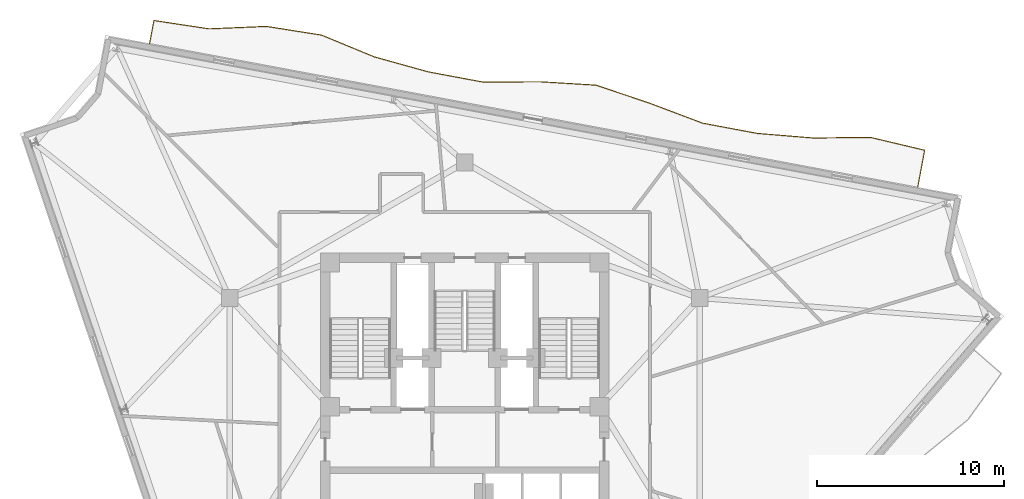
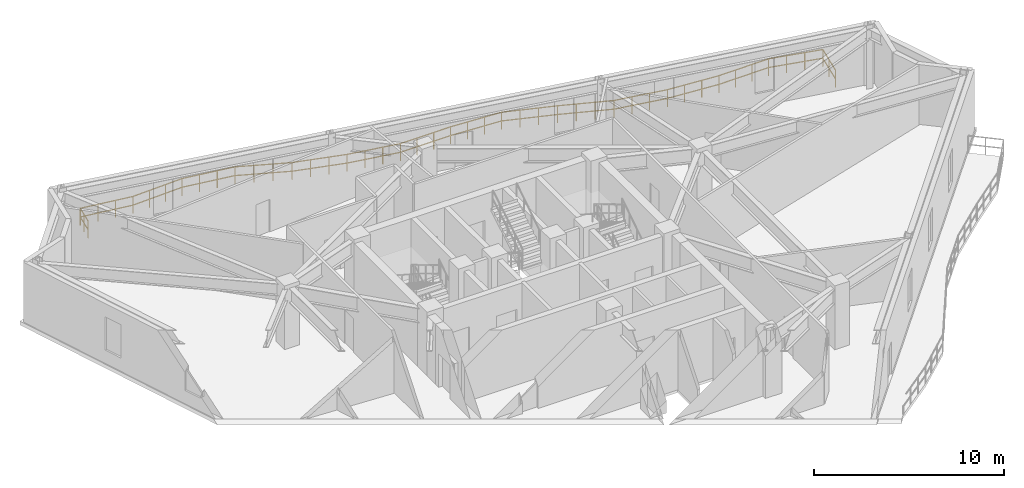
# One storey, part 10 of 10: 1 railing.
"""IFC4 building model written with IfcOpenShell, lengths in metres."""

import ifcopenshell
import ifcopenshell.guid

model = None  # the IFC model being written
_history = None  # IfcOwnerHistory: only IFC2X3 demands one
_inside = {}  # id of a spatial element -> (the spatial element, [elements in it])
_under = {}  # id of a project, library or spatial element -> (it, [spatial elements below it])
_declared = {}  # id of a project -> (the project, [libraries it declares])
_typed = {}  # id of a type object -> (the type object, [elements of that type])
_made_of = {}  # id of a material, layer set ... -> (it, [elements and type objects made of it])


def new_model(schema):
    """Start an empty IFC model of exactly this schema.

    Asked for "IFC4X3", IfcOpenShell would pick the latest addendum, in which some entities
    have other attributes; the version numbers below select the first issue.
    IFC2X3 requires an IfcOwnerHistory on every rooted entity: one is made here for all.
    """
    global model, _history
    if schema == "IFC4X3":
        model = ifcopenshell.file(schema_version=(4, 3, 0, 0))
    else:
        model = ifcopenshell.file(schema=schema)
    _inside.clear()
    _under.clear()
    _declared.clear()
    _typed.clear()
    _made_of.clear()
    _history = None
    if model.schema == "IFC2X3":
        org = make("IfcOrganization", Name="unknown")
        user = make(
            "IfcPersonAndOrganization",
            ThePerson=make("IfcPerson", FamilyName="unknown"),
            TheOrganization=org,
        )
        app = make(
            "IfcApplication",
            ApplicationDeveloper=org,
            Version="unknown",
            ApplicationFullName="unknown",
            ApplicationIdentifier="unknown",
        )
        _history = make(
            "IfcOwnerHistory",
            OwningUser=user,
            OwningApplication=app,
            ChangeAction="ADDED",
            CreationDate=0,
        )
    return model


def make(cls, **values):
    """One entity of the class cls with the attributes given. An attribute that is None is left unset."""
    return model.create_entity(
        cls, **{name: value for name, value in values.items() if value is not None}
    )


def rooted(cls, **values):
    """An entity with a GlobalId (a new one), such as an element, a storey or a relation."""
    return make(cls, GlobalId=ifcopenshell.guid.new(), OwnerHistory=_history, **values)


def si_unit(unit_type, name, prefix=None):
    """IfcSIUnit, for example si_unit("LENGTHUNIT", "METRE", prefix="MILLI")."""
    return make("IfcSIUnit", UnitType=unit_type, Prefix=prefix, Name=name)


def assignment(units):
    """IfcUnitAssignment: the units of a project."""
    return None if units is None else make("IfcUnitAssignment", Units=units)


def point(xyz):
    """IfcCartesianPoint."""
    return None if xyz is None else make("IfcCartesianPoint", Coordinates=xyz)


def direction(xyz):
    """IfcDirection."""
    return None if xyz is None else make("IfcDirection", DirectionRatios=xyz)


def frame(location, z_axis=None, x_axis=None):
    """IfcAxis2Placement3D, a coordinate frame: its origin and axes. An axis left out is left unset."""
    return make(
        "IfcAxis2Placement3D",
        Location=point(location),
        Axis=direction(z_axis),
        RefDirection=direction(x_axis),
    )


def frame_2d(location, x_axis=None):
    """IfcAxis2Placement2D, a coordinate frame in the plane: its origin and x axis."""
    return make(
        "IfcAxis2Placement2D", Location=point(location), RefDirection=direction(x_axis)
    )


def origin():
    """The frame at (0, 0, 0) with its axes left unset."""
    return frame((0.0, 0.0, 0.0))


def origin_2d():
    """The frame at (0, 0) in the plane with its x axis left unset."""
    return frame_2d((0.0, 0.0))


def place(relative_to, where):
    """IfcLocalPlacement: puts the frame where relative to a parent placement (None: the world)."""
    return make(
        "IfcLocalPlacement", PlacementRelTo=relative_to, RelativePlacement=where
    )


def context(
    kind, dimensions, precision=None, world=None, true_north=None, identifier=None
):
    """IfcGeometricRepresentationContext, for example the 3D "Model" context."""
    return make(
        "IfcGeometricRepresentationContext",
        ContextIdentifier=identifier,
        ContextType=kind,
        CoordinateSpaceDimension=dimensions,
        Precision=precision,
        WorldCoordinateSystem=world,
        TrueNorth=true_north,
    )


def subcontext(parent, identifier, kind, view, scale=None):
    """IfcGeometricRepresentationSubContext, for example "Body" below "Model"."""
    return make(
        "IfcGeometricRepresentationSubContext",
        ContextIdentifier=identifier,
        ContextType=kind,
        ParentContext=parent,
        TargetScale=scale,
        TargetView=view,
    )


def project(units=None, contexts=None):
    """IfcProject with its units and contexts."""
    return rooted(
        "IfcProject",
        Name="project",
        RepresentationContexts=contexts,
        UnitsInContext=assignment(units),
    )


def spatial(cls, under=None, at=None, **own):
    """A site, building, storey or space (cls), placed at a placement, below another one or the project."""
    s = rooted(cls, ObjectPlacement=at, **own)
    if under is not None:
        _under.setdefault(under.id(), (under, []))[1].append(s)
    return s


def profile(cls, at=None, kind="AREA", **sizes):
    """A parametric profile (cls). Its sizes go by their IFC names, for example OverallWidth=200.0."""
    return make(cls, ProfileType=kind, Position=at, **sizes)


def rectangle(**sizes):
    """IfcRectangleProfileDef."""
    return profile("IfcRectangleProfileDef", **sizes)


def extrude(swept, where, along, depth):
    """IfcExtrudedAreaSolid: the profile swept, set in the frame where, extruded along a direction by depth."""
    return make(
        "IfcExtrudedAreaSolid",
        SweptArea=swept,
        Position=where,
        ExtrudedDirection=direction(along),
        Depth=depth,
    )


def shape(context_of_items, identifier, shape_type, items):
    """IfcShapeRepresentation: the items that make up one representation, for example the "Body"."""
    return make(
        "IfcShapeRepresentation",
        ContextOfItems=context_of_items,
        RepresentationIdentifier=identifier,
        RepresentationType=shape_type,
        Items=items,
    )


def material(Name=None, Category=None):
    """IfcMaterial."""
    return make("IfcMaterial", Name=Name, Category=Category)


def made_of(thing, what):
    """Note that an element or type object is made of a material, layer set ...; save() writes the relation."""
    if what is not None:
        _made_of.setdefault(what.id(), (what, []))[1].append(thing)
    return thing


def type_object(cls, material=None, **own):
    """A type object (cls), such as IfcWallType, which elements share."""
    return made_of(rooted(cls, **own), material)


def element(
    cls,
    number,
    at=None,
    inside=None,
    cuts=None,
    type_object=None,
    material=None,
    context=None,
    identifier="Body",
    shape_type=None,
    held_by="IfcProductDefinitionShape",
    body=None,
    shapes=None,
    **own,
):
    """One element of the class cls, such as IfcWall. Its Tag is "e" and its number.

    at: its placement. inside: the storey or other place that contains it. cuts: it is an
    opening in that element (IfcRelVoidsElement). A single representation is given by context,
    identifier, shape_type and body (its items); several are given by shapes. held_by: the class
    of the entity that holds the representations. save() writes the other relations.
    """
    e = rooted(cls, Tag="e%d" % number, ObjectPlacement=at, **own)
    if body is not None:
        shapes = [shape(context, identifier, shape_type, body)]
    if shapes is not None:
        e.Representation = make(held_by, Representations=shapes)
    if inside is not None:
        _inside.setdefault(inside.id(), (inside, []))[1].append(e)
    if cuts is not None:
        rooted(
            "IfcRelVoidsElement", RelatingBuildingElement=cuts, RelatedOpeningElement=e
        )
    if type_object is not None:
        _typed.setdefault(type_object.id(), (type_object, []))[1].append(e)
    return made_of(e, material)


def aggregate(whole, parts):
    """IfcRelAggregates: a whole, such as a stair, and the parts it consists of."""
    return rooted("IfcRelAggregates", RelatingObject=whole, RelatedObjects=parts)


def save(model, path):
    """Write the relations noted so far, then the file.

    IfcRelAggregates (storeys below a building ...), IfcRelContainedInSpatialStructure (elements
    in a storey), IfcRelDefinesByType, IfcRelAssociatesMaterial and IfcRelDeclares: one each for
    every whole, place, type object, material and project.
    """
    for whole, parts in _under.values():
        aggregate(whole, parts)
    for where, things in _inside.values():
        rooted(
            "IfcRelContainedInSpatialStructure",
            RelatedElements=things,
            RelatingStructure=where,
        )
    for kind, things in _typed.values():
        rooted("IfcRelDefinesByType", RelatedObjects=things, RelatingType=kind)
    for what, things in _made_of.values():
        rooted("IfcRelAssociatesMaterial", RelatedObjects=things, RelatingMaterial=what)
    for by, libraries in _declared.values():
        rooted("IfcRelDeclares", RelatingContext=by, RelatedDefinitions=libraries)
    model.write(path)


model = new_model("IFC4")

# Units and contexts
model_context = context("Model", 3, precision=1e-05, world=origin(), true_north=direction((0.0, 1.0)))
body_context = subcontext(model_context, "Body", "Model", "MODEL_VIEW")
ifc_project = project(units=[si_unit("LENGTHUNIT", "METRE"), si_unit("AREAUNIT", "SQUARE_METRE"), si_unit("VOLUMEUNIT", "CUBIC_METRE"), si_unit("PLANEANGLEUNIT", "RADIAN"), si_unit("MASSUNIT", "GRAM", prefix="KILO")], contexts=[model_context])

# Site, building, storey
site_placement = place(None, origin())
site = spatial("IfcSite", under=ifc_project, at=site_placement, CompositionType="ELEMENT")
building_placement = place(site_placement, origin())
building = spatial("IfcBuilding", under=site, at=building_placement, Name="Apsidion Concourse Tower", CompositionType="ELEMENT")
storey_placement = place(building_placement, frame((0.0, 0.0, 286.0)))
storey = spatial("IfcBuildingStorey", under=building, at=storey_placement, Name="L67", CompositionType="ELEMENT", Elevation=286.0)

# Railing
ifc_material = material(Name="Brushed stainless steel 316", Category="steel")
railing_type = type_object("IfcRailingType", Name="RL-BAL-1120", PredefinedType="BALUSTRADE", material=ifc_material)
railing_placement = place(storey_placement, frame((-16.84228515625, 20.8583984375, 0.0)))
element("IfcRailing", 1, at=railing_placement, inside=storey, type_object=railing_type, Name="L67 Face 3 Rippling Balcony Balustrade", PredefinedType="BALUSTRADE", context=body_context, shape_type="SweptSolid", body=[
    extrude(rectangle(XDim=0.048095703125, YDim=0.048095703125, at=origin_2d()), frame((0.0, 0.0, 1.09619140625), z_axis=(0.183970153766, 0.982931830049, 0.0), x_axis=(-0.982931830049, 0.183970153766, 0.0)), (0.0, 0.0, 1.0), 1.25),
    extrude(rectangle(XDim=0.048095703125, YDim=0.048095703125, at=origin_2d()), frame((0.0, 0.0, 0.5361328125), z_axis=(0.183970153766, 0.982931830049, 0.0), x_axis=(-0.982931830049, 0.183970153766, 0.0)), (0.0, 0.0, 1.0), 1.25),
    extrude(rectangle(XDim=0.048095703125, YDim=0.048095703125, at=origin_2d()), frame((0.22998046875, 1.228759765625, 1.09619140625), z_axis=(0.988771968026, -0.149432242996, 0.0), x_axis=(0.149432242996, 0.988771968026, 0.0)), (0.0, 0.0, 1.0), 2.98486328125),
    extrude(rectangle(XDim=0.048095703125, YDim=0.048095703125, at=origin_2d()), frame((0.22998046875, 1.228759765625, 0.5361328125), z_axis=(0.988771968026, -0.149432242996, 0.0), x_axis=(0.149432242996, 0.988771968026, 0.0)), (0.0, 0.0, 1.0), 2.98486328125),
    extrude(rectangle(XDim=0.048095703125, YDim=0.048095703125, at=origin_2d()), frame((3.181396484375, 0.78271484375, 1.09619140625), z_axis=(0.999093100273, 0.042579067482, 0.0), x_axis=(-0.042579067482, 0.999093100273, 0.0)), (0.0, 0.0, 1.0), 3.061767578125),
    extrude(rectangle(XDim=0.048095703125, YDim=0.048095703125, at=origin_2d()), frame((3.181396484375, 0.78271484375, 0.5361328125), z_axis=(0.999093100273, 0.042579067482, 0.0), x_axis=(-0.042579067482, 0.999093100273, 0.0)), (0.0, 0.0, 1.0), 3.061767578125),
    extrude(rectangle(XDim=0.048095703125, YDim=0.048095703125, at=origin_2d()), frame((6.240478515625, 0.9130859375, 1.09619140625), z_axis=(0.987820604877, -0.155597084097, 0.0), x_axis=(0.155597084097, 0.987820604877, 0.0)), (0.0, 0.0, 1.0), 2.984375),
    extrude(rectangle(XDim=0.048095703125, YDim=0.048095703125, at=origin_2d()), frame((6.240478515625, 0.9130859375, 0.5361328125), z_axis=(0.987820604877, -0.155597084097, 0.0), x_axis=(0.155597084097, 0.987820604877, 0.0)), (0.0, 0.0, 1.0), 2.984375),
    extrude(rectangle(XDim=0.048095703125, YDim=0.048095703125, at=origin_2d()), frame((9.1884765625, 0.44873046875, 1.09619140625), z_axis=(0.924502130826, -0.381176875084, 0.0), x_axis=(0.381176875084, 0.924502130826, 0.0)), (0.0, 0.0, 1.0), 3.04736328125),
    extrude(rectangle(XDim=0.048095703125, YDim=0.048095703125, at=origin_2d()), frame((9.1884765625, 0.44873046875, 0.5361328125), z_axis=(0.924502130826, -0.381176875084, 0.0), x_axis=(0.381176875084, 0.924502130826, 0.0)), (0.0, 0.0, 1.0), 3.04736328125),
    extrude(rectangle(XDim=0.048095703125, YDim=0.048095703125, at=origin_2d()), frame((12.005859375, -0.712890625, 1.09619140625), z_axis=(0.963549443914, -0.267530314418, 0.0), x_axis=(0.267530314418, 0.963549443914, 0.0)), (0.0, 0.0, 1.0), 2.994140625),
    extrude(rectangle(XDim=0.048095703125, YDim=0.048095703125, at=origin_2d()), frame((12.005859375, -0.712890625, 0.5361328125), z_axis=(0.963549443914, -0.267530314418, 0.0), x_axis=(0.267530314418, 0.963549443914, 0.0)), (0.0, 0.0, 1.0), 2.994140625),
    extrude(rectangle(XDim=0.048095703125, YDim=0.048095703125, at=origin_2d()), frame((14.890869140625, -1.513916015625, 1.09619140625), z_axis=(0.982944381003, -0.183903082774, 0.0), x_axis=(0.183903082774, 0.982944381003, 0.0)), (0.0, 0.0, 1.0), 2.98291015625),
    extrude(rectangle(XDim=0.048095703125, YDim=0.048095703125, at=origin_2d()), frame((14.890869140625, -1.513916015625, 0.5361328125), z_axis=(0.982944381003, -0.183903082774, 0.0), x_axis=(0.183903082774, 0.982944381003, 0.0)), (0.0, 0.0, 1.0), 2.98291015625),
    extrude(rectangle(XDim=0.048095703125, YDim=0.048095703125, at=origin_2d()), frame((17.822998046875, -2.0625, 1.09619140625), z_axis=(0.9999823192, 0.00594653581, 0.0), x_axis=(-0.00594653581, 0.9999823192, 0.0)), (0.0, 0.0, 1.0), 3.0380859375),
    extrude(rectangle(XDim=0.048095703125, YDim=0.048095703125, at=origin_2d()), frame((17.822998046875, -2.0625, 0.5361328125), z_axis=(0.9999823192, 0.00594653581, 0.0), x_axis=(-0.00594653581, 0.9999823192, 0.0)), (0.0, 0.0, 1.0), 3.0380859375),
    extrude(rectangle(XDim=0.048095703125, YDim=0.048095703125, at=origin_2d()), frame((20.861083984375, -2.04443359375, 1.09619140625), z_axis=(0.998168050796, -0.060502416227, 0.0), x_axis=(0.060502416227, 0.998168050796, 0.0)), (0.0, 0.0, 1.0), 3.00634765625),
    extrude(rectangle(XDim=0.048095703125, YDim=0.048095703125, at=origin_2d()), frame((20.861083984375, -2.04443359375, 0.5361328125), z_axis=(0.998168050796, -0.060502416227, 0.0), x_axis=(0.060502416227, 0.998168050796, 0.0)), (0.0, 0.0, 1.0), 3.00634765625),
    extrude(rectangle(XDim=0.048095703125, YDim=0.048095703125, at=origin_2d()), frame((23.86181640625, -2.226318359375, 1.09619140625), z_axis=(0.94763275258, -0.319362123988, 0.0), x_axis=(0.319362123988, 0.94763275258, 0.0)), (0.0, 0.0, 1.0), 3.0126953125),
    extrude(rectangle(XDim=0.048095703125, YDim=0.048095703125, at=origin_2d()), frame((23.86181640625, -2.226318359375, 0.5361328125), z_axis=(0.94763275258, -0.319362123988, 0.0), x_axis=(0.319362123988, 0.94763275258, 0.0)), (0.0, 0.0, 1.0), 3.0126953125),
    extrude(rectangle(XDim=0.048095703125, YDim=0.048095703125, at=origin_2d()), frame((26.716796875, -3.1884765625, 1.09619140625), z_axis=(0.935784918017, -0.35257139307, 0.0), x_axis=(0.35257139307, 0.935784918017, 0.0)), (0.0, 0.0, 1.0), 3.029541015625),
    extrude(rectangle(XDim=0.048095703125, YDim=0.048095703125, at=origin_2d()), frame((26.716796875, -3.1884765625, 0.5361328125), z_axis=(0.935784918017, -0.35257139307, 0.0), x_axis=(0.35257139307, 0.935784918017, 0.0)), (0.0, 0.0, 1.0), 3.029541015625),
    extrude(rectangle(XDim=0.048095703125, YDim=0.048095703125, at=origin_2d()), frame((29.5517578125, -4.256591796875, 1.09619140625), z_axis=(0.982944381003, -0.183903082774, 0.0), x_axis=(0.183903082774, 0.982944381003, 0.0)), (0.0, 0.0, 1.0), 2.98291015625),
    extrude(rectangle(XDim=0.048095703125, YDim=0.048095703125, at=origin_2d()), frame((29.5517578125, -4.256591796875, 0.5361328125), z_axis=(0.982944381003, -0.183903082774, 0.0), x_axis=(0.183903082774, 0.982944381003, 0.0)), (0.0, 0.0, 1.0), 2.98291015625),
    extrude(rectangle(XDim=0.048095703125, YDim=0.048095703125, at=origin_2d()), frame((32.48388671875, -4.80517578125, 1.09619140625), z_axis=(0.996654369429, -0.081731682341, 0.0), x_axis=(0.081731682341, 0.996654369429, 0.0)), (0.0, 0.0, 1.0), 2.9990234375),
    extrude(rectangle(XDim=0.048095703125, YDim=0.048095703125, at=origin_2d()), frame((32.48388671875, -4.80517578125, 0.5361328125), z_axis=(0.996654369429, -0.081731682341, 0.0), x_axis=(0.081731682341, 0.996654369429, 0.0)), (0.0, 0.0, 1.0), 2.9990234375),
    extrude(rectangle(XDim=0.048095703125, YDim=0.048095703125, at=origin_2d()), frame((35.472900390625, -5.05029296875, 1.09619140625), z_axis=(0.999934117172, 0.011478733142, 0.0), x_axis=(-0.011478733142, 0.999934117172, 0.0)), (0.0, 0.0, 1.0), 3.04150390625),
    extrude(rectangle(XDim=0.048095703125, YDim=0.048095703125, at=origin_2d()), frame((35.472900390625, -5.05029296875, 0.5361328125), z_axis=(0.999934117172, 0.011478733142, 0.0), x_axis=(-0.011478733142, 0.999934117172, 0.0)), (0.0, 0.0, 1.0), 3.04150390625),
    extrude(rectangle(XDim=0.048095703125, YDim=0.048095703125, at=origin_2d()), frame((38.51416015625, -5.015380859375, 1.09619140625), z_axis=(0.973046023005, -0.230611008225, 0.0), x_axis=(0.230611008225, 0.973046023005, 0.0)), (0.0, 0.0, 1.0), 2.986572265625),
    extrude(rectangle(XDim=0.048095703125, YDim=0.048095703125, at=origin_2d()), frame((38.51416015625, -5.015380859375, 0.5361328125), z_axis=(0.973046023005, -0.230611008225, 0.0), x_axis=(0.230611008225, 0.973046023005, 0.0)), (0.0, 0.0, 1.0), 2.986572265625),
    extrude(rectangle(XDim=0.048095703125, YDim=0.048095703125, at=origin_2d()), frame((41.420166015625, -5.7041015625, 1.09619140625), z_axis=(-0.183929108902, -0.982939511312, 0.0), x_axis=(0.982939511312, -0.183929108902, 0.0)), (0.0, 0.0, 1.0), 2.009521484375),
    extrude(rectangle(XDim=0.048095703125, YDim=0.048095703125, at=origin_2d()), frame((41.420166015625, -5.7041015625, 0.5361328125), z_axis=(-0.183929108902, -0.982939511312, 0.0), x_axis=(0.982939511312, -0.183929108902, 0.0)), (0.0, 0.0, 1.0), 2.009521484375),
    extrude(rectangle(XDim=0.0419921875, YDim=0.0419921875, at=origin_2d()), origin(), (0.0, 0.0, 1.0), 1.072021484375),
    extrude(rectangle(XDim=0.0419921875, YDim=0.0419921875, at=origin_2d()), frame((0.114990234375, 0.6142578125, 0.0)), (0.0, 0.0, 1.0), 1.072021484375),
    extrude(rectangle(XDim=0.0419921875, YDim=0.0419921875, at=origin_2d()), frame((0.22998046875, 1.228759765625, 0.0)), (0.0, 0.0, 1.0), 1.072021484375),
    extrude(rectangle(XDim=0.0419921875, YDim=0.0419921875, at=origin_2d()), frame((1.2138671875, 1.080078125, 0.0)), (0.0, 0.0, 1.0), 1.072021484375),
    extrude(rectangle(XDim=0.0419921875, YDim=0.0419921875, at=origin_2d()), frame((2.197509765625, 0.931396484375, 0.0)), (0.0, 0.0, 1.0), 1.072021484375),
    extrude(rectangle(XDim=0.0419921875, YDim=0.0419921875, at=origin_2d()), frame((3.181396484375, 0.78271484375, 0.0)), (0.0, 0.0, 1.0), 1.072021484375),
    extrude(rectangle(XDim=0.0419921875, YDim=0.0419921875, at=origin_2d()), frame((4.201171875, 0.826171875, 0.0)), (0.0, 0.0, 1.0), 1.072021484375),
    extrude(rectangle(XDim=0.0419921875, YDim=0.0419921875, at=origin_2d()), frame((5.220703125, 0.86962890625, 0.0)), (0.0, 0.0, 1.0), 1.072021484375),
    extrude(rectangle(XDim=0.0419921875, YDim=0.0419921875, at=origin_2d()), frame((6.240478515625, 0.9130859375, 0.0)), (0.0, 0.0, 1.0), 1.072021484375),
    extrude(rectangle(XDim=0.0419921875, YDim=0.0419921875, at=origin_2d()), frame((7.22314453125, 0.75830078125, 0.0)), (0.0, 0.0, 1.0), 1.072021484375),
    extrude(rectangle(XDim=0.0419921875, YDim=0.0419921875, at=origin_2d()), frame((8.205810546875, 0.603515625, 0.0)), (0.0, 0.0, 1.0), 1.072021484375),
    extrude(rectangle(XDim=0.0419921875, YDim=0.0419921875, at=origin_2d()), frame((9.1884765625, 0.44873046875, 0.0)), (0.0, 0.0, 1.0), 1.072021484375),
    extrude(rectangle(XDim=0.0419921875, YDim=0.0419921875, at=origin_2d()), frame((10.127685546875, 0.0615234375, 0.0)), (0.0, 0.0, 1.0), 1.072021484375),
    extrude(rectangle(XDim=0.0419921875, YDim=0.0419921875, at=origin_2d()), frame((11.066650390625, -0.32568359375, 0.0)), (0.0, 0.0, 1.0), 1.072021484375),
    extrude(rectangle(XDim=0.0419921875, YDim=0.0419921875, at=origin_2d()), frame((12.005859375, -0.712890625, 0.0)), (0.0, 0.0, 1.0), 1.072021484375),
    extrude(rectangle(XDim=0.0419921875, YDim=0.0419921875, at=origin_2d()), frame((12.967529296875, -0.97998046875, 0.0)), (0.0, 0.0, 1.0), 1.072021484375),
    extrude(rectangle(XDim=0.0419921875, YDim=0.0419921875, at=origin_2d()), frame((13.92919921875, -1.246826171875, 0.0)), (0.0, 0.0, 1.0), 1.072021484375),
    extrude(rectangle(XDim=0.0419921875, YDim=0.0419921875, at=origin_2d()), frame((14.890869140625, -1.513916015625, 0.0)), (0.0, 0.0, 1.0), 1.072021484375),
    extrude(rectangle(XDim=0.0419921875, YDim=0.0419921875, at=origin_2d()), frame((15.8681640625, -1.69677734375, 0.0)), (0.0, 0.0, 1.0), 1.072021484375),
    extrude(rectangle(XDim=0.0419921875, YDim=0.0419921875, at=origin_2d()), frame((16.845703125, -1.879638671875, 0.0)), (0.0, 0.0, 1.0), 1.072021484375),
    extrude(rectangle(XDim=0.0419921875, YDim=0.0419921875, at=origin_2d()), frame((17.822998046875, -2.0625, 0.0)), (0.0, 0.0, 1.0), 1.072021484375),
    extrude(rectangle(XDim=0.0419921875, YDim=0.0419921875, at=origin_2d()), frame((18.835693359375, -2.056396484375, 0.0)), (0.0, 0.0, 1.0), 1.072021484375),
    extrude(rectangle(XDim=0.0419921875, YDim=0.0419921875, at=origin_2d()), frame((19.848388671875, -2.050537109375, 0.0)), (0.0, 0.0, 1.0), 1.072021484375),
    extrude(rectangle(XDim=0.0419921875, YDim=0.0419921875, at=origin_2d()), frame((20.861083984375, -2.04443359375, 0.0)), (0.0, 0.0, 1.0), 1.072021484375),
    extrude(rectangle(XDim=0.0419921875, YDim=0.0419921875, at=origin_2d()), frame((21.861328125, -2.10498046875, 0.0)), (0.0, 0.0, 1.0), 1.072021484375),
    extrude(rectangle(XDim=0.0419921875, YDim=0.0419921875, at=origin_2d()), frame((22.861572265625, -2.165771484375, 0.0)), (0.0, 0.0, 1.0), 1.072021484375),
    extrude(rectangle(XDim=0.0419921875, YDim=0.0419921875, at=origin_2d()), frame((23.86181640625, -2.226318359375, 0.0)), (0.0, 0.0, 1.0), 1.072021484375),
    extrude(rectangle(XDim=0.0419921875, YDim=0.0419921875, at=origin_2d()), frame((24.8134765625, -2.547119140625, 0.0)), (0.0, 0.0, 1.0), 1.072021484375),
    extrude(rectangle(XDim=0.0419921875, YDim=0.0419921875, at=origin_2d()), frame((25.76513671875, -2.86767578125, 0.0)), (0.0, 0.0, 1.0), 1.072021484375),
    extrude(rectangle(XDim=0.0419921875, YDim=0.0419921875, at=origin_2d()), frame((26.716796875, -3.1884765625, 0.0)), (0.0, 0.0, 1.0), 1.072021484375),
    extrude(rectangle(XDim=0.0419921875, YDim=0.0419921875, at=origin_2d()), frame((27.661865234375, -3.54443359375, 0.0)), (0.0, 0.0, 1.0), 1.072021484375),
    extrude(rectangle(XDim=0.0419921875, YDim=0.0419921875, at=origin_2d()), frame((28.606689453125, -3.900634765625, 0.0)), (0.0, 0.0, 1.0), 1.072021484375),
    extrude(rectangle(XDim=0.0419921875, YDim=0.0419921875, at=origin_2d()), frame((29.5517578125, -4.256591796875, 0.0)), (0.0, 0.0, 1.0), 1.072021484375),
    extrude(rectangle(XDim=0.0419921875, YDim=0.0419921875, at=origin_2d()), frame((30.529052734375, -4.439453125, 0.0)), (0.0, 0.0, 1.0), 1.072021484375),
    extrude(rectangle(XDim=0.0419921875, YDim=0.0419921875, at=origin_2d()), frame((31.506591796875, -4.622314453125, 0.0)), (0.0, 0.0, 1.0), 1.072021484375),
    extrude(rectangle(XDim=0.0419921875, YDim=0.0419921875, at=origin_2d()), frame((32.48388671875, -4.80517578125, 0.0)), (0.0, 0.0, 1.0), 1.072021484375),
    extrude(rectangle(XDim=0.0419921875, YDim=0.0419921875, at=origin_2d()), frame((33.480224609375, -4.886962890625, 0.0)), (0.0, 0.0, 1.0), 1.072021484375),
    extrude(rectangle(XDim=0.0419921875, YDim=0.0419921875, at=origin_2d()), frame((34.4765625, -4.968505859375, 0.0)), (0.0, 0.0, 1.0), 1.072021484375),
    extrude(rectangle(XDim=0.0419921875, YDim=0.0419921875, at=origin_2d()), frame((35.472900390625, -5.05029296875, 0.0)), (0.0, 0.0, 1.0), 1.072021484375),
    extrude(rectangle(XDim=0.0419921875, YDim=0.0419921875, at=origin_2d()), frame((36.486572265625, -5.03857421875, 0.0)), (0.0, 0.0, 1.0), 1.072021484375),
    extrude(rectangle(XDim=0.0419921875, YDim=0.0419921875, at=origin_2d()), frame((37.50048828125, -5.027099609375, 0.0)), (0.0, 0.0, 1.0), 1.072021484375),
    extrude(rectangle(XDim=0.0419921875, YDim=0.0419921875, at=origin_2d()), frame((38.51416015625, -5.015380859375, 0.0)), (0.0, 0.0, 1.0), 1.072021484375),
    extrude(rectangle(XDim=0.0419921875, YDim=0.0419921875, at=origin_2d()), frame((39.48291015625, -5.244873046875, 0.0)), (0.0, 0.0, 1.0), 1.072021484375),
    extrude(rectangle(XDim=0.0419921875, YDim=0.0419921875, at=origin_2d()), frame((40.451416015625, -5.474609375, 0.0)), (0.0, 0.0, 1.0), 1.072021484375),
    extrude(rectangle(XDim=0.0419921875, YDim=0.0419921875, at=origin_2d()), frame((41.420166015625, -5.7041015625, 0.0)), (0.0, 0.0, 1.0), 1.072021484375),
    extrude(rectangle(XDim=0.0419921875, YDim=0.0419921875, at=origin_2d()), frame((41.2353515625, -6.69189453125, 0.0)), (0.0, 0.0, 1.0), 1.072021484375),
    extrude(rectangle(XDim=0.0419921875, YDim=0.0419921875, at=origin_2d()), frame((41.050537109375, -7.679443359375, 0.0)), (0.0, 0.0, 1.0), 1.072021484375),
])

save(model, "model.ifc")
